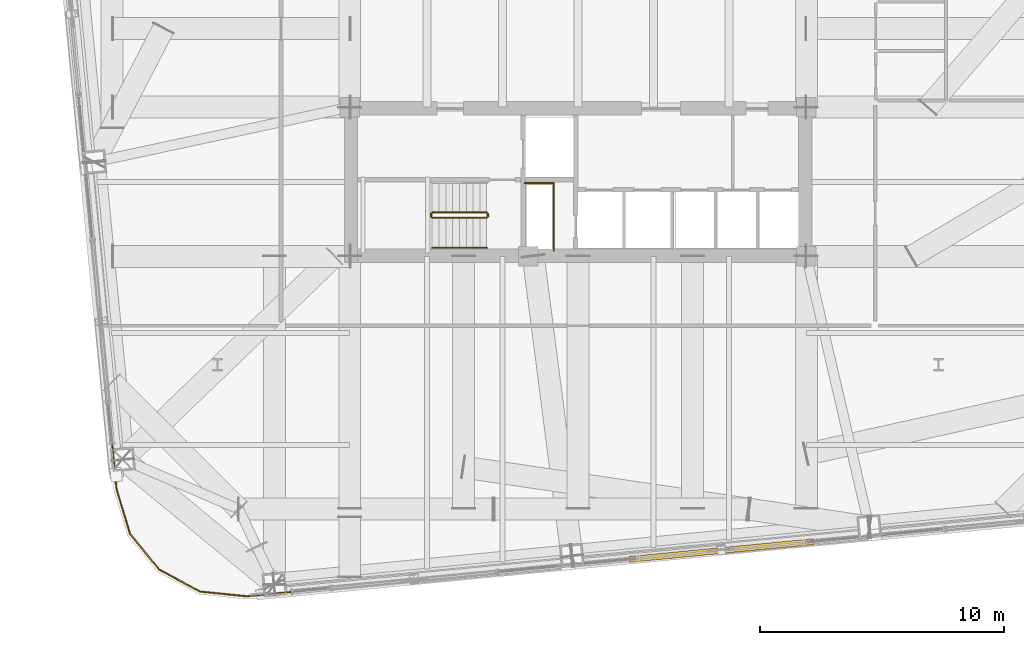
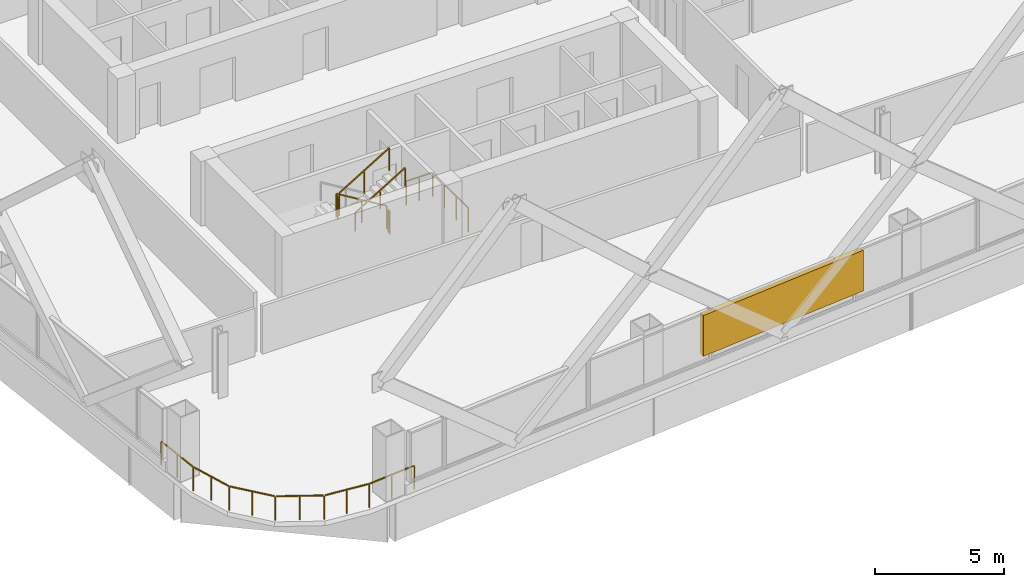
# One storey, part 40 of 42: 7 railings, 1 shading device.
"""IFC4 building model written with IfcOpenShell, lengths in metres."""

import ifcopenshell
import ifcopenshell.guid

model = None  # the IFC model being written
_history = None  # IfcOwnerHistory: only IFC2X3 demands one
_inside = {}  # id of a spatial element -> (the spatial element, [elements in it])
_under = {}  # id of a project, library or spatial element -> (it, [spatial elements below it])
_declared = {}  # id of a project -> (the project, [libraries it declares])
_typed = {}  # id of a type object -> (the type object, [elements of that type])
_made_of = {}  # id of a material, layer set ... -> (it, [elements and type objects made of it])


def new_model(schema):
    """Start an empty IFC model of exactly this schema.

    Asked for "IFC4X3", IfcOpenShell would pick the latest addendum, in which some entities
    have other attributes; the version numbers below select the first issue.
    IFC2X3 requires an IfcOwnerHistory on every rooted entity: one is made here for all.
    """
    global model, _history
    if schema == "IFC4X3":
        model = ifcopenshell.file(schema_version=(4, 3, 0, 0))
    else:
        model = ifcopenshell.file(schema=schema)
    _inside.clear()
    _under.clear()
    _declared.clear()
    _typed.clear()
    _made_of.clear()
    _history = None
    if model.schema == "IFC2X3":
        org = make("IfcOrganization", Name="unknown")
        user = make(
            "IfcPersonAndOrganization",
            ThePerson=make("IfcPerson", FamilyName="unknown"),
            TheOrganization=org,
        )
        app = make(
            "IfcApplication",
            ApplicationDeveloper=org,
            Version="unknown",
            ApplicationFullName="unknown",
            ApplicationIdentifier="unknown",
        )
        _history = make(
            "IfcOwnerHistory",
            OwningUser=user,
            OwningApplication=app,
            ChangeAction="ADDED",
            CreationDate=0,
        )
    return model


def make(cls, **values):
    """One entity of the class cls with the attributes given. An attribute that is None is left unset."""
    return model.create_entity(
        cls, **{name: value for name, value in values.items() if value is not None}
    )


def rooted(cls, **values):
    """An entity with a GlobalId (a new one), such as an element, a storey or a relation."""
    return make(cls, GlobalId=ifcopenshell.guid.new(), OwnerHistory=_history, **values)


def si_unit(unit_type, name, prefix=None):
    """IfcSIUnit, for example si_unit("LENGTHUNIT", "METRE", prefix="MILLI")."""
    return make("IfcSIUnit", UnitType=unit_type, Prefix=prefix, Name=name)


def assignment(units):
    """IfcUnitAssignment: the units of a project."""
    return None if units is None else make("IfcUnitAssignment", Units=units)


def point(xyz):
    """IfcCartesianPoint."""
    return None if xyz is None else make("IfcCartesianPoint", Coordinates=xyz)


def direction(xyz):
    """IfcDirection."""
    return None if xyz is None else make("IfcDirection", DirectionRatios=xyz)


def frame(location, z_axis=None, x_axis=None):
    """IfcAxis2Placement3D, a coordinate frame: its origin and axes. An axis left out is left unset."""
    return make(
        "IfcAxis2Placement3D",
        Location=point(location),
        Axis=direction(z_axis),
        RefDirection=direction(x_axis),
    )


def frame_2d(location, x_axis=None):
    """IfcAxis2Placement2D, a coordinate frame in the plane: its origin and x axis."""
    return make(
        "IfcAxis2Placement2D", Location=point(location), RefDirection=direction(x_axis)
    )


def origin():
    """The frame at (0, 0, 0) with its axes left unset."""
    return frame((0.0, 0.0, 0.0))


def origin_2d():
    """The frame at (0, 0) in the plane with its x axis left unset."""
    return frame_2d((0.0, 0.0))


def place(relative_to, where):
    """IfcLocalPlacement: puts the frame where relative to a parent placement (None: the world)."""
    return make(
        "IfcLocalPlacement", PlacementRelTo=relative_to, RelativePlacement=where
    )


def context(
    kind, dimensions, precision=None, world=None, true_north=None, identifier=None
):
    """IfcGeometricRepresentationContext, for example the 3D "Model" context."""
    return make(
        "IfcGeometricRepresentationContext",
        ContextIdentifier=identifier,
        ContextType=kind,
        CoordinateSpaceDimension=dimensions,
        Precision=precision,
        WorldCoordinateSystem=world,
        TrueNorth=true_north,
    )


def subcontext(parent, identifier, kind, view, scale=None):
    """IfcGeometricRepresentationSubContext, for example "Body" below "Model"."""
    return make(
        "IfcGeometricRepresentationSubContext",
        ContextIdentifier=identifier,
        ContextType=kind,
        ParentContext=parent,
        TargetScale=scale,
        TargetView=view,
    )


def project(units=None, contexts=None):
    """IfcProject with its units and contexts."""
    return rooted(
        "IfcProject",
        Name="project",
        RepresentationContexts=contexts,
        UnitsInContext=assignment(units),
    )


def spatial(cls, under=None, at=None, **own):
    """A site, building, storey or space (cls), placed at a placement, below another one or the project."""
    s = rooted(cls, ObjectPlacement=at, **own)
    if under is not None:
        _under.setdefault(under.id(), (under, []))[1].append(s)
    return s


def profile(cls, at=None, kind="AREA", **sizes):
    """A parametric profile (cls). Its sizes go by their IFC names, for example OverallWidth=200.0."""
    return make(cls, ProfileType=kind, Position=at, **sizes)


def rectangle(**sizes):
    """IfcRectangleProfileDef."""
    return profile("IfcRectangleProfileDef", **sizes)


def extrude(swept, where, along, depth):
    """IfcExtrudedAreaSolid: the profile swept, set in the frame where, extruded along a direction by depth."""
    return make(
        "IfcExtrudedAreaSolid",
        SweptArea=swept,
        Position=where,
        ExtrudedDirection=direction(along),
        Depth=depth,
    )


def shape(context_of_items, identifier, shape_type, items):
    """IfcShapeRepresentation: the items that make up one representation, for example the "Body"."""
    return make(
        "IfcShapeRepresentation",
        ContextOfItems=context_of_items,
        RepresentationIdentifier=identifier,
        RepresentationType=shape_type,
        Items=items,
    )


def material(Name=None, Category=None):
    """IfcMaterial."""
    return make("IfcMaterial", Name=Name, Category=Category)


def made_of(thing, what):
    """Note that an element or type object is made of a material, layer set ...; save() writes the relation."""
    if what is not None:
        _made_of.setdefault(what.id(), (what, []))[1].append(thing)
    return thing


def type_object(cls, material=None, **own):
    """A type object (cls), such as IfcWallType, which elements share."""
    return made_of(rooted(cls, **own), material)


def element(
    cls,
    number,
    at=None,
    inside=None,
    cuts=None,
    type_object=None,
    material=None,
    context=None,
    identifier="Body",
    shape_type=None,
    held_by="IfcProductDefinitionShape",
    body=None,
    shapes=None,
    **own,
):
    """One element of the class cls, such as IfcWall. Its Tag is "e" and its number.

    at: its placement. inside: the storey or other place that contains it. cuts: it is an
    opening in that element (IfcRelVoidsElement). A single representation is given by context,
    identifier, shape_type and body (its items); several are given by shapes. held_by: the class
    of the entity that holds the representations. save() writes the other relations.
    """
    e = rooted(cls, Tag="e%d" % number, ObjectPlacement=at, **own)
    if body is not None:
        shapes = [shape(context, identifier, shape_type, body)]
    if shapes is not None:
        e.Representation = make(held_by, Representations=shapes)
    if inside is not None:
        _inside.setdefault(inside.id(), (inside, []))[1].append(e)
    if cuts is not None:
        rooted(
            "IfcRelVoidsElement", RelatingBuildingElement=cuts, RelatedOpeningElement=e
        )
    if type_object is not None:
        _typed.setdefault(type_object.id(), (type_object, []))[1].append(e)
    return made_of(e, material)


def aggregate(whole, parts):
    """IfcRelAggregates: a whole, such as a stair, and the parts it consists of."""
    return rooted("IfcRelAggregates", RelatingObject=whole, RelatedObjects=parts)


def save(model, path):
    """Write the relations noted so far, then the file.

    IfcRelAggregates (storeys below a building ...), IfcRelContainedInSpatialStructure (elements
    in a storey), IfcRelDefinesByType, IfcRelAssociatesMaterial and IfcRelDeclares: one each for
    every whole, place, type object, material and project.
    """
    for whole, parts in _under.values():
        aggregate(whole, parts)
    for where, things in _inside.values():
        rooted(
            "IfcRelContainedInSpatialStructure",
            RelatedElements=things,
            RelatingStructure=where,
        )
    for kind, things in _typed.values():
        rooted("IfcRelDefinesByType", RelatedObjects=things, RelatingType=kind)
    for what, things in _made_of.values():
        rooted("IfcRelAssociatesMaterial", RelatedObjects=things, RelatingMaterial=what)
    for by, libraries in _declared.values():
        rooted("IfcRelDeclares", RelatingContext=by, RelatedDefinitions=libraries)
    model.write(path)


model = new_model("IFC4")

# Units and contexts
model_context = context("Model", 3, precision=1e-05, world=origin(), true_north=direction((0.0, 1.0)))
body_context = subcontext(model_context, "Body", "Model", "MODEL_VIEW")
ifc_project = project(units=[si_unit("LENGTHUNIT", "METRE"), si_unit("AREAUNIT", "SQUARE_METRE"), si_unit("VOLUMEUNIT", "CUBIC_METRE"), si_unit("PLANEANGLEUNIT", "RADIAN"), si_unit("MASSUNIT", "GRAM", prefix="KILO")], contexts=[model_context])

# Site, building, storey
site_placement = place(None, origin())
site = spatial("IfcSite", under=ifc_project, at=site_placement, CompositionType="ELEMENT")
building_placement = place(site_placement, origin())
building = spatial("IfcBuilding", under=site, at=building_placement, Name="Qhalaya Broadcast Tower", CompositionType="ELEMENT")
storey_placement = place(building_placement, frame((0.0, 0.0, 69.449951171875)))
storey = spatial("IfcBuildingStorey", under=building, at=storey_placement, Name="L19", CompositionType="ELEMENT", Elevation=69.449951171875)

# Railings
ifc_material_1 = material(Name="Powder-Coated Galvanised Steel", Category="steel")
railing_type_1 = type_object("IfcRailingType", Name="Stair Wall Handrail 900", PredefinedType="HANDRAIL", material=ifc_material_1)
railing_1_placement = place(storey_placement, frame((-5.989990234375, -8.389892578125, 1.694580078125)))
element("IfcRailing", 1, at=railing_1_placement, inside=storey, type_object=railing_type_1, Name="L19 ST-2 Stair Handrail 2", PredefinedType="HANDRAIL", context=body_context, shape_type="SweptSolid", body=[
    extrude(rectangle(XDim=0.048095703125, YDim=0.048095703125, at=origin_2d()), frame((0.0, 0.0, 0.8759765625), z_axis=(0.855553338991, 0.0, 0.51771467445), x_axis=(0.0, 1.0, 0.0)), (0.0, 0.0, 1.0), 2.6181640625),
    extrude(rectangle(XDim=0.0419921875, YDim=0.0419921875, at=origin_2d()), origin(), (0.0, 0.0, 1.0), 0.849853515625),
    extrude(rectangle(XDim=0.0419921875, YDim=0.0419921875, at=origin_2d()), frame((1.1201171875, 0.0, 0.677734375)), (0.0, 0.0, 1.0), 0.849853515625),
    extrude(rectangle(XDim=0.0419921875, YDim=0.0419921875, at=origin_2d()), frame((2.239990234375, 0.0, 1.35546875)), (0.0, 0.0, 1.0), 0.849853515625),
])
railing_type_2 = type_object("IfcRailingType", Name="Stair Well & Landing Guardrail 1100", PredefinedType="GUARDRAIL", material=ifc_material_1)
railing_2_placement = place(storey_placement, frame((-1.0, -8.52001953125, 0.0)))
element("IfcRailing", 2, at=railing_2_placement, inside=storey, type_object=railing_type_2, Name="L19 Service Riser Opening Safety Guard SRSR", PredefinedType="GUARDRAIL", context=body_context, shape_type="SweptSolid", body=[
    extrude(rectangle(XDim=0.048095703125, YDim=0.048095703125, at=origin_2d()), frame((0.0, 0.0, 1.1259765625), z_axis=(0.0, 1.0, 0.0), x_axis=(-1.0, 0.0, 0.0)), (0.0, 0.0, 1.0), 2.751220703125),
    extrude(rectangle(XDim=0.048095703125, YDim=0.048095703125, at=origin_2d()), frame((-0.02880859375, 2.780029296875, 1.1259765625), z_axis=(-1.0, 0.0, 0.0), x_axis=(0.0, -1.0, 0.0)), (0.0, 0.0, 1.0), 1.151123046875),
    extrude(rectangle(XDim=0.0419921875, YDim=0.0419921875, at=origin_2d()), origin(), (0.0, 0.0, 1.0), 1.099853515625),
    extrude(rectangle(XDim=0.0419921875, YDim=0.0419921875, at=origin_2d()), frame((0.0, 0.9267578125, 0.0)), (0.0, 0.0, 1.0), 1.099853515625),
    extrude(rectangle(XDim=0.0419921875, YDim=0.0419921875, at=origin_2d()), frame((0.0, 1.853271484375, 0.0)), (0.0, 0.0, 1.0), 1.099853515625),
    extrude(rectangle(XDim=0.0419921875, YDim=0.0419921875, at=origin_2d()), frame((0.0, 2.780029296875, 0.0)), (0.0, 0.0, 1.0), 1.099853515625),
    extrude(rectangle(XDim=0.0419921875, YDim=0.0419921875, at=origin_2d()), frame((-0.58984375, 2.780029296875, 0.0)), (0.0, 0.0, 1.0), 1.099853515625),
    extrude(rectangle(XDim=0.0419921875, YDim=0.0419921875, at=origin_2d()), frame((-1.179931640625, 2.780029296875, 0.0)), (0.0, 0.0, 1.0), 1.099853515625),
])
railing_3_placement = place(storey_placement, frame((-3.75, -6.949951171875, 0.16943359375)))
element("IfcRailing", 3, at=railing_3_placement, inside=storey, type_object=railing_type_2, Name="L19 ST-2 Stair Guard 1", PredefinedType="GUARDRAIL", context=body_context, shape_type="SweptSolid", body=[
    extrude(rectangle(XDim=0.048095703125, YDim=0.048095703125, at=origin_2d()), frame((0.0, 0.0, 1.076171875), z_axis=(-0.855512035549, 0.0, 0.517782924622), x_axis=(0.0, -1.0, 0.0)), (0.0, 0.0, 1.0), 2.618408203125),
    extrude(rectangle(XDim=0.0419921875, YDim=0.0419921875, at=origin_2d()), origin(), (0.0, 0.0, 1.0), 1.050048828125),
    extrude(rectangle(XDim=0.0419921875, YDim=0.0419921875, at=origin_2d()), frame((-1.1201171875, 0.0, 0.677734375)), (0.0, 0.0, 1.0), 1.050048828125),
    extrude(rectangle(XDim=0.0419921875, YDim=0.0419921875, at=origin_2d()), frame((-2.239990234375, 0.0, 1.355712890625)), (0.0, 0.0, 1.0), 1.050048828125),
])
railing_4_placement = place(storey_placement, frame((-6.0400390625, -7.0, 1.525146484375)))
element("IfcRailing", 4, at=railing_4_placement, inside=storey, type_object=railing_type_2, Name="L19 ST-2 Stair Guard 2", PredefinedType="GUARDRAIL", context=body_context, shape_type="SweptSolid", body=[
    extrude(rectangle(XDim=0.048095703125, YDim=0.048095703125, at=origin_2d()), frame((0.0, 0.0, 1.076171875), z_axis=(0.0, -1.0, 0.0), x_axis=(1.0, 0.0, 0.0)), (0.0, 0.0, 1.0), 0.1201171875),
    extrude(rectangle(XDim=0.0419921875, YDim=0.0419921875, at=origin_2d()), origin(), (0.0, 0.0, 1.0), 1.050048828125),
    extrude(rectangle(XDim=0.0419921875, YDim=0.0419921875, at=origin_2d()), frame((0.0, -0.1201171875, 0.0)), (0.0, 0.0, 1.0), 1.050048828125),
])
railing_5_placement = place(storey_placement, frame((-5.989990234375, -7.169921875, 1.694580078125)))
element("IfcRailing", 5, at=railing_5_placement, inside=storey, type_object=railing_type_2, Name="L19 ST-2 Stair Guard 3", PredefinedType="GUARDRAIL", context=body_context, shape_type="SweptSolid", body=[
    extrude(rectangle(XDim=0.048095703125, YDim=0.048095703125, at=origin_2d()), frame((0.0, 0.0, 1.076171875), z_axis=(0.855553338991, 0.0, 0.51771467445), x_axis=(0.0, 1.0, 0.0)), (0.0, 0.0, 1.0), 2.6181640625),
    extrude(rectangle(XDim=0.0419921875, YDim=0.0419921875, at=origin_2d()), origin(), (0.0, 0.0, 1.0), 1.050048828125),
    extrude(rectangle(XDim=0.0419921875, YDim=0.0419921875, at=origin_2d()), frame((1.1201171875, 0.0, 0.677734375)), (0.0, 0.0, 1.0), 1.050048828125),
    extrude(rectangle(XDim=0.0419921875, YDim=0.0419921875, at=origin_2d()), frame((2.239990234375, 0.0, 1.35546875)), (0.0, 0.0, 1.0), 1.050048828125),
])
railing_6_placement = place(storey_placement, frame((-3.699951171875, -7.0, 0.0)))
element("IfcRailing", 6, at=railing_6_placement, inside=storey, type_object=railing_type_2, Name="L19 ST-2 Stair Guard 4", PredefinedType="GUARDRAIL", context=body_context, shape_type="SweptSolid", body=[
    extrude(rectangle(XDim=0.048095703125, YDim=0.048095703125, at=origin_2d()), frame((0.0, 0.0, 1.076171875), z_axis=(0.0, -1.0, 0.0), x_axis=(1.0, 0.0, 0.0)), (0.0, 0.0, 1.0), 0.1201171875),
    extrude(rectangle(XDim=0.0419921875, YDim=0.0419921875, at=origin_2d()), origin(), (0.0, 0.0, 1.0), 1.050048828125),
    extrude(rectangle(XDim=0.0419921875, YDim=0.0419921875, at=origin_2d()), frame((0.0, -0.1201171875, 0.0)), (0.0, 0.0, 1.0), 1.050048828125),
])
railing_type_3 = type_object("IfcRailingType", Name="Terrace, Sky-Pool & Lookout Glass Balustrade 1150", PredefinedType="BALUSTRADE", material=ifc_material_1)
railing_7_placement = place(storey_placement, frame((-11.50341796875, -22.501708984375, 0.0)))
element("IfcRailing", 7, at=railing_7_placement, inside=storey, type_object=railing_type_3, Name="L19 Rounded Corner Perimeter Guard 02", PredefinedType="BALUSTRADE", context=body_context, shape_type="SweptSolid", body=[
    extrude(rectangle(XDim=0.048095703125, YDim=0.048095703125, at=origin_2d()), frame((0.0, 0.0, 1.1259765625), z_axis=(-0.995402268864, -0.095782687057, 0.0), x_axis=(0.095782687057, -0.995402268864, 0.0)), (0.0, 0.0, 1.0), 2.08935546875),
    extrude(rectangle(XDim=0.048095703125, YDim=0.048095703125, at=origin_2d()), frame((-2.13720703125, -0.199951171875, 1.1259765625), z_axis=(-0.994978953282, 0.100084377028, 0.0), x_axis=(-0.100084377028, -0.994978953282, 0.0)), (0.0, 0.0, 1.0), 1.857177734375),
    extrude(rectangle(XDim=0.048095703125, YDim=0.048095703125, at=origin_2d()), frame((-4.0390625, 0.00244140625, 1.1259765625), z_axis=(-0.880907290044, 0.473288861424, 0.0), x_axis=(-0.473288861424, -0.880907290044, 0.0)), (0.0, 0.0, 1.0), 1.845703125),
    extrude(rectangle(XDim=0.048095703125, YDim=0.048095703125, at=origin_2d()), frame((-5.708740234375, 0.912109375, 1.1259765625), z_axis=(-0.632671796541, 0.774420039683, 0.0), x_axis=(-0.774420039683, -0.632671796541, 0.0)), (0.0, 0.0, 1.0), 1.845458984375),
    extrude(rectangle(XDim=0.048095703125, YDim=0.048095703125, at=origin_2d()), frame((-6.90283203125, 2.39111328125, 1.1259765625), z_axis=(-0.288213171456, 0.95756627332, 0.0), x_axis=(-0.95756627332, -0.288213171456, 0.0)), (0.0, 0.0, 1.0), 1.857421875),
    extrude(rectangle(XDim=0.048095703125, YDim=0.048095703125, at=origin_2d()), frame((-7.44921875, 4.226318359375, 1.1259765625), z_axis=(-0.095782687057, 0.995402268864, 0.0), x_axis=(-0.995402268864, -0.095782687057, 0.0)), (0.0, 0.0, 1.0), 2.08935546875),
    extrude(rectangle(XDim=0.0419921875, YDim=0.0419921875, at=origin_2d()), origin(), (0.0, 0.0, 1.0), 1.099853515625),
    extrude(rectangle(XDim=0.0419921875, YDim=0.0419921875, at=origin_2d()), frame((-1.05419921875, -0.1015625, 0.0)), (0.0, 0.0, 1.0), 1.099853515625),
    extrude(rectangle(XDim=0.0419921875, YDim=0.0419921875, at=origin_2d()), frame((-2.1083984375, -0.202880859375, 0.0)), (0.0, 0.0, 1.0), 1.099853515625),
    extrude(rectangle(XDim=0.0419921875, YDim=0.0419921875, at=origin_2d()), frame((-3.06103515625, -0.10693359375, 0.0)), (0.0, 0.0, 1.0), 1.099853515625),
    extrude(rectangle(XDim=0.0419921875, YDim=0.0419921875, at=origin_2d()), frame((-4.013671875, -0.01123046875, 0.0)), (0.0, 0.0, 1.0), 1.099853515625),
    extrude(rectangle(XDim=0.0419921875, YDim=0.0419921875, at=origin_2d()), frame((-4.85205078125, 0.439208984375, 0.0)), (0.0, 0.0, 1.0), 1.099853515625),
    extrude(rectangle(XDim=0.0419921875, YDim=0.0419921875, at=origin_2d()), frame((-5.6904296875, 0.8896484375, 0.0)), (0.0, 0.0, 1.0), 1.099853515625),
    extrude(rectangle(XDim=0.0419921875, YDim=0.0419921875, at=origin_2d()), frame((-6.29248046875, 1.62646484375, 0.0)), (0.0, 0.0, 1.0), 1.099853515625),
    extrude(rectangle(XDim=0.0419921875, YDim=0.0419921875, at=origin_2d()), frame((-6.89453125, 2.363525390625, 0.0)), (0.0, 0.0, 1.0), 1.099853515625),
    extrude(rectangle(XDim=0.0419921875, YDim=0.0419921875, at=origin_2d()), frame((-7.17041015625, 3.280517578125, 0.0)), (0.0, 0.0, 1.0), 1.099853515625),
    extrude(rectangle(XDim=0.0419921875, YDim=0.0419921875, at=origin_2d()), frame((-7.446533203125, 4.197509765625, 0.0)), (0.0, 0.0, 1.0), 1.099853515625),
    extrude(rectangle(XDim=0.0419921875, YDim=0.0419921875, at=origin_2d()), frame((-7.5478515625, 5.251708984375, 0.0)), (0.0, 0.0, 1.0), 1.099853515625),
    extrude(rectangle(XDim=0.0419921875, YDim=0.0419921875, at=origin_2d()), frame((-7.6494140625, 6.305908203125, 0.0)), (0.0, 0.0, 1.0), 1.099853515625),
])

# Shading device
ifc_material_2 = material(Name="Fired Architectural Terracotta", Category="masonry")
shading_device_type = type_object("IfcShadingDeviceType", Name="Terracotta Baguette Solar Screen Assembly TBS-01", PredefinedType="USERDEFINED", material=ifc_material_2)
shading_device_placement = place(storey_placement, frame((5.88623046875, -20.827392578125, 0.79248046875), z_axis=(0.0, 0.0, 1.0), x_axis=(0.995396198367, 0.09584575252, 0.0)))
element("IfcShadingDevice", 8, at=shading_device_placement, inside=storey, type_object=shading_device_type, Name="L19 Fired Terracotta Baguette Screen S", ObjectType="BAGUETTE", PredefinedType="USERDEFINED", context=body_context, shape_type="SweptSolid", body=[
    extrude(rectangle(XDim=7.60009765625, YDim=0.239990234375, at=origin_2d()), origin(), (0.0, 0.0, 1.0), 1.924072265625),
])

save(model, "model.ifc")
